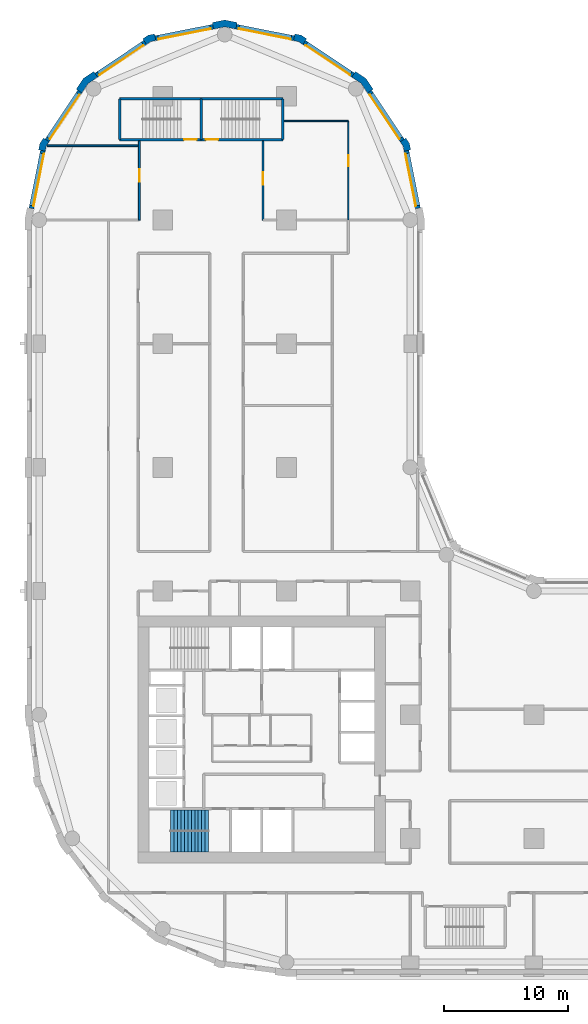
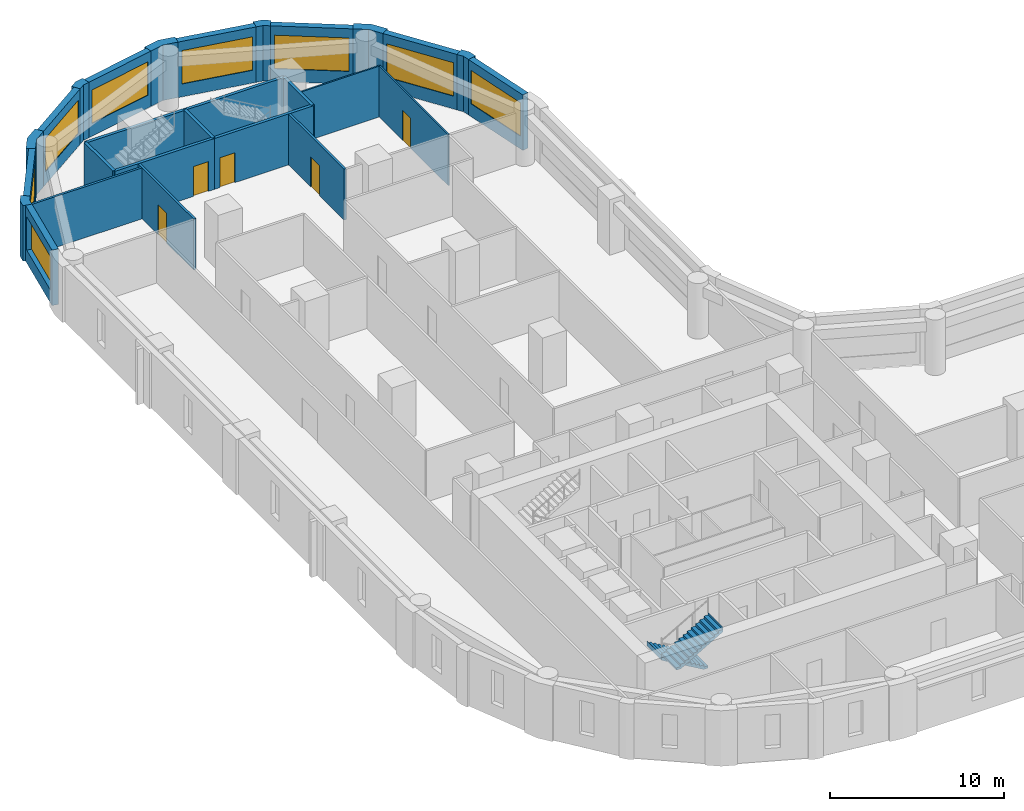
# One storey, part 7 of 10: 27 walls, 8 windows, 5 doors, 2 stair flights, 13 openings, 1 element without a shape of its own.
"""IFC4 building model written with IfcOpenShell, lengths in metres."""

import ifcopenshell
import ifcopenshell.guid

model = None  # the IFC model being written
_history = None  # IfcOwnerHistory: only IFC2X3 demands one
_inside = {}  # id of a spatial element -> (the spatial element, [elements in it])
_under = {}  # id of a project, library or spatial element -> (it, [spatial elements below it])
_declared = {}  # id of a project -> (the project, [libraries it declares])
_typed = {}  # id of a type object -> (the type object, [elements of that type])
_made_of = {}  # id of a material, layer set ... -> (it, [elements and type objects made of it])


def new_model(schema):
    """Start an empty IFC model of exactly this schema.

    Asked for "IFC4X3", IfcOpenShell would pick the latest addendum, in which some entities
    have other attributes; the version numbers below select the first issue.
    IFC2X3 requires an IfcOwnerHistory on every rooted entity: one is made here for all.
    """
    global model, _history
    if schema == "IFC4X3":
        model = ifcopenshell.file(schema_version=(4, 3, 0, 0))
    else:
        model = ifcopenshell.file(schema=schema)
    _inside.clear()
    _under.clear()
    _declared.clear()
    _typed.clear()
    _made_of.clear()
    _history = None
    if model.schema == "IFC2X3":
        org = make("IfcOrganization", Name="unknown")
        user = make(
            "IfcPersonAndOrganization",
            ThePerson=make("IfcPerson", FamilyName="unknown"),
            TheOrganization=org,
        )
        app = make(
            "IfcApplication",
            ApplicationDeveloper=org,
            Version="unknown",
            ApplicationFullName="unknown",
            ApplicationIdentifier="unknown",
        )
        _history = make(
            "IfcOwnerHistory",
            OwningUser=user,
            OwningApplication=app,
            ChangeAction="ADDED",
            CreationDate=0,
        )
    return model


def make(cls, **values):
    """One entity of the class cls with the attributes given. An attribute that is None is left unset."""
    return model.create_entity(
        cls, **{name: value for name, value in values.items() if value is not None}
    )


def rooted(cls, **values):
    """An entity with a GlobalId (a new one), such as an element, a storey or a relation."""
    return make(cls, GlobalId=ifcopenshell.guid.new(), OwnerHistory=_history, **values)


def si_unit(unit_type, name, prefix=None):
    """IfcSIUnit, for example si_unit("LENGTHUNIT", "METRE", prefix="MILLI")."""
    return make("IfcSIUnit", UnitType=unit_type, Prefix=prefix, Name=name)


def assignment(units):
    """IfcUnitAssignment: the units of a project."""
    return None if units is None else make("IfcUnitAssignment", Units=units)


def point(xyz):
    """IfcCartesianPoint."""
    return None if xyz is None else make("IfcCartesianPoint", Coordinates=xyz)


def direction(xyz):
    """IfcDirection."""
    return None if xyz is None else make("IfcDirection", DirectionRatios=xyz)


def frame(location, z_axis=None, x_axis=None):
    """IfcAxis2Placement3D, a coordinate frame: its origin and axes. An axis left out is left unset."""
    return make(
        "IfcAxis2Placement3D",
        Location=point(location),
        Axis=direction(z_axis),
        RefDirection=direction(x_axis),
    )


def frame_2d(location, x_axis=None):
    """IfcAxis2Placement2D, a coordinate frame in the plane: its origin and x axis."""
    return make(
        "IfcAxis2Placement2D", Location=point(location), RefDirection=direction(x_axis)
    )


def origin():
    """The frame at (0, 0, 0) with its axes left unset."""
    return frame((0.0, 0.0, 0.0))


def place(relative_to, where):
    """IfcLocalPlacement: puts the frame where relative to a parent placement (None: the world)."""
    return make(
        "IfcLocalPlacement", PlacementRelTo=relative_to, RelativePlacement=where
    )


def context(
    kind, dimensions, precision=None, world=None, true_north=None, identifier=None
):
    """IfcGeometricRepresentationContext, for example the 3D "Model" context."""
    return make(
        "IfcGeometricRepresentationContext",
        ContextIdentifier=identifier,
        ContextType=kind,
        CoordinateSpaceDimension=dimensions,
        Precision=precision,
        WorldCoordinateSystem=world,
        TrueNorth=true_north,
    )


def subcontext(parent, identifier, kind, view, scale=None):
    """IfcGeometricRepresentationSubContext, for example "Body" below "Model"."""
    return make(
        "IfcGeometricRepresentationSubContext",
        ContextIdentifier=identifier,
        ContextType=kind,
        ParentContext=parent,
        TargetScale=scale,
        TargetView=view,
    )


def project(units=None, contexts=None):
    """IfcProject with its units and contexts."""
    return rooted(
        "IfcProject",
        Name="project",
        RepresentationContexts=contexts,
        UnitsInContext=assignment(units),
    )


def spatial(cls, under=None, at=None, **own):
    """A site, building, storey or space (cls), placed at a placement, below another one or the project."""
    s = rooted(cls, ObjectPlacement=at, **own)
    if under is not None:
        _under.setdefault(under.id(), (under, []))[1].append(s)
    return s


def polyline(points):
    """IfcPolyline through the points."""
    return make("IfcPolyline", Points=[point(p) for p in points])


def profile(cls, at=None, kind="AREA", **sizes):
    """A parametric profile (cls). Its sizes go by their IFC names, for example OverallWidth=200.0."""
    return make(cls, ProfileType=kind, Position=at, **sizes)


def rectangle(**sizes):
    """IfcRectangleProfileDef."""
    return profile("IfcRectangleProfileDef", **sizes)


def outline(outer, holes=None, kind="AREA"):
    """IfcArbitraryClosedProfileDef: a profile drawn as a closed curve; with holes, ...WithVoids."""
    if holes is None:
        return make("IfcArbitraryClosedProfileDef", ProfileType=kind, OuterCurve=outer)
    return make(
        "IfcArbitraryProfileDefWithVoids",
        ProfileType=kind,
        OuterCurve=outer,
        InnerCurves=holes,
    )


def extrude(swept, where, along, depth):
    """IfcExtrudedAreaSolid: the profile swept, set in the frame where, extruded along a direction by depth."""
    return make(
        "IfcExtrudedAreaSolid",
        SweptArea=swept,
        Position=where,
        ExtrudedDirection=direction(along),
        Depth=depth,
    )


def shape(context_of_items, identifier, shape_type, items):
    """IfcShapeRepresentation: the items that make up one representation, for example the "Body"."""
    return make(
        "IfcShapeRepresentation",
        ContextOfItems=context_of_items,
        RepresentationIdentifier=identifier,
        RepresentationType=shape_type,
        Items=items,
    )


def material(Name=None, Category=None):
    """IfcMaterial."""
    return make("IfcMaterial", Name=Name, Category=Category)


def layer(
    of_material, thickness, ventilated=None, Name=None, Category=None, Priority=None
):
    """IfcMaterialLayer: one layer of a wall or slab, of a material (None: an air gap)."""
    return make(
        "IfcMaterialLayer",
        Material=of_material,
        LayerThickness=thickness,
        IsVentilated=ventilated,
        Name=Name,
        Category=Category,
        Priority=Priority,
    )


def layer_set(layers, Name=None):
    """IfcMaterialLayerSet."""
    return make("IfcMaterialLayerSet", MaterialLayers=layers, LayerSetName=Name)


def made_of(thing, what):
    """Note that an element or type object is made of a material, layer set ...; save() writes the relation."""
    if what is not None:
        _made_of.setdefault(what.id(), (what, []))[1].append(thing)
    return thing


def type_object(cls, material=None, **own):
    """A type object (cls), such as IfcWallType, which elements share."""
    return made_of(rooted(cls, **own), material)


def element(
    cls,
    number,
    at=None,
    inside=None,
    cuts=None,
    type_object=None,
    material=None,
    context=None,
    identifier="Body",
    shape_type=None,
    held_by="IfcProductDefinitionShape",
    body=None,
    shapes=None,
    **own,
):
    """One element of the class cls, such as IfcWall. Its Tag is "e" and its number.

    at: its placement. inside: the storey or other place that contains it. cuts: it is an
    opening in that element (IfcRelVoidsElement). A single representation is given by context,
    identifier, shape_type and body (its items); several are given by shapes. held_by: the class
    of the entity that holds the representations. save() writes the other relations.
    """
    e = rooted(cls, Tag="e%d" % number, ObjectPlacement=at, **own)
    if body is not None:
        shapes = [shape(context, identifier, shape_type, body)]
    if shapes is not None:
        e.Representation = make(held_by, Representations=shapes)
    if inside is not None:
        _inside.setdefault(inside.id(), (inside, []))[1].append(e)
    if cuts is not None:
        rooted(
            "IfcRelVoidsElement", RelatingBuildingElement=cuts, RelatedOpeningElement=e
        )
    if type_object is not None:
        _typed.setdefault(type_object.id(), (type_object, []))[1].append(e)
    return made_of(e, material)


def fill(opening, filler):
    """IfcRelFillsElement: the door or window that sits in an opening."""
    return rooted(
        "IfcRelFillsElement",
        RelatingOpeningElement=opening,
        RelatedBuildingElement=filler,
    )


def aggregate(whole, parts):
    """IfcRelAggregates: a whole, such as a stair, and the parts it consists of."""
    return rooted("IfcRelAggregates", RelatingObject=whole, RelatedObjects=parts)


def save(model, path):
    """Write the relations noted so far, then the file.

    IfcRelAggregates (storeys below a building ...), IfcRelContainedInSpatialStructure (elements
    in a storey), IfcRelDefinesByType, IfcRelAssociatesMaterial and IfcRelDeclares: one each for
    every whole, place, type object, material and project.
    """
    for whole, parts in _under.values():
        aggregate(whole, parts)
    for where, things in _inside.values():
        rooted(
            "IfcRelContainedInSpatialStructure",
            RelatedElements=things,
            RelatingStructure=where,
        )
    for kind, things in _typed.values():
        rooted("IfcRelDefinesByType", RelatedObjects=things, RelatingType=kind)
    for what, things in _made_of.values():
        rooted("IfcRelAssociatesMaterial", RelatedObjects=things, RelatingMaterial=what)
    for by, libraries in _declared.values():
        rooted("IfcRelDeclares", RelatingContext=by, RelatedDefinitions=libraries)
    model.write(path)


model = new_model("IFC4")

# Units and contexts
model_context = context("Model", 3, precision=1e-05, world=origin(), true_north=direction((0.0, 1.0)))
body_context = subcontext(model_context, "Body", "Model", "MODEL_VIEW")
ifc_project = project(units=[si_unit("LENGTHUNIT", "METRE"), si_unit("AREAUNIT", "SQUARE_METRE"), si_unit("VOLUMEUNIT", "CUBIC_METRE"), si_unit("PLANEANGLEUNIT", "RADIAN"), si_unit("MASSUNIT", "GRAM", prefix="KILO")], contexts=[model_context])

# Site, building, storey
site_placement = place(None, origin())
site = spatial("IfcSite", under=ifc_project, at=site_placement, CompositionType="ELEMENT")
building_placement = place(site_placement, origin())
building = spatial("IfcBuilding", under=site, at=building_placement, Name="Qaws Garden Tower", CompositionType="ELEMENT")
storey_placement = place(building_placement, frame((0.0, 0.0, 109.5)))
storey = spatial("IfcBuildingStorey", under=building, at=storey_placement, Name="L27", CompositionType="ELEMENT", Elevation=109.5)

# Wall, opening, window
ifc_material_1 = material(Name="Clay facing brick masonry", Category="masonry")
ifc_layer_1 = layer(ifc_material_1, 0.39990234375)
ifc_layer_set_1 = layer_set([ifc_layer_1], Name="Clay facing brick masonry")
wall_type_1 = type_object("IfcWallType", Name="Brick infill wall 400", PredefinedType="SOLIDWALL", material=ifc_layer_set_1)
wall_1_placement = place(storey_placement, frame((30.628662109375, 60.940673828125, 0.0), z_axis=(0.0, 0.0, 1.0), x_axis=(-0.195098533057, 0.98078364709, 0.0)))
wall_1 = element("IfcWall", 1, at=wall_1_placement, inside=storey, type_object=wall_type_1, Name="E-L27-infill-15", PredefinedType="SOLIDWALL", context=body_context, shape_type="SweptSolid", body=[
    extrude(rectangle(XDim=4.752685546875, YDim=0.39990234375, at=frame_2d((2.37646484375, 0.0))), origin(), (0.0, 0.0, 1.0), 3.89990234375),
])
opening_1_placement = place(wall_1_placement, frame((0.226318359375, 0.0, 0.89990234375)))
opening_1 = element("IfcOpeningElement", 2, at=opening_1_placement, cuts=wall_1, Name="Opening W06", PredefinedType="OPENING", context=body_context, shape_type="SweptSolid", body=[
    extrude(rectangle(XDim=4.300048828125, YDim=2.35009765625, at=frame_2d((2.14990234375, 1.175048828125))), frame((0.0, 0.2099609375, 0.0), z_axis=(0.0, -1.0, 0.0), x_axis=(1.0, 0.0, 0.0)), (0.0, 0.0, 1.0), 0.419921875),
])
ifc_material_2 = material(Name="Aluminium framed window, clear glazing", Category="aluminium")
window_type = type_object("IfcWindowType", Name="Ribbon window 4300 x 2350", PartitioningType="DOUBLE_PANEL_VERTICAL", PredefinedType="WINDOW", material=ifc_material_2)
window_1_placement = place(opening_1_placement, origin())
window_1 = element("IfcWindow", 3, at=window_1_placement, inside=storey, type_object=window_type, Name="E-L27-window-15-0", OverallHeight=2.35009765625, OverallWidth=4.300048828125, PartitioningType="SINGLE_PANEL", PredefinedType="WINDOW", context=body_context, shape_type="SweptSolid", body=[
    extrude(rectangle(XDim=4.300048828125, YDim=2.35009765625, at=frame_2d((2.14990234375, 1.175048828125))), frame((0.0, 0.159912109375, 0.0), z_axis=(0.0, -1.0, 0.0), x_axis=(1.0, 0.0, 0.0)), (0.0, 0.0, 1.0), 0.06005859375),
])
fill(opening_1, window_1)

wall_2_placement = place(storey_placement, frame((29.356689453125, 66.43408203125, 0.0), z_axis=(0.0, 0.0, 1.0), x_axis=(-0.555541552266, 0.831488775454, 0.0)))
wall_2 = element("IfcWall", 4, at=wall_2_placement, inside=storey, type_object=wall_type_1, Name="E-L27-infill-16", PredefinedType="SOLIDWALL", context=body_context, shape_type="SweptSolid", body=[
    extrude(rectangle(XDim=4.752685546875, YDim=0.39990234375, at=frame_2d((2.37646484375, 0.0))), origin(), (0.0, 0.0, 1.0), 3.89990234375),
])
opening_2_placement = place(wall_2_placement, frame((0.226318359375, 0.0, 0.89990234375)))
opening_2 = element("IfcOpeningElement", 5, at=opening_2_placement, cuts=wall_2, Name="Opening W06", PredefinedType="OPENING", context=body_context, shape_type="SweptSolid", body=[
    extrude(rectangle(XDim=4.300048828125, YDim=2.35009765625, at=frame_2d((2.14990234375, 1.175048828125))), frame((0.0, 0.2099609375, 0.0), z_axis=(0.0, -1.0, 0.0), x_axis=(1.0, 0.0, 0.0)), (0.0, 0.0, 1.0), 0.419921875),
])
window_2_placement = place(opening_2_placement, origin())
window_2 = element("IfcWindow", 6, at=window_2_placement, inside=storey, type_object=window_type, Name="E-L27-window-16-0", OverallHeight=2.35009765625, OverallWidth=4.300048828125, PartitioningType="SINGLE_PANEL", PredefinedType="WINDOW", context=body_context, shape_type="SweptSolid", body=[
    extrude(rectangle(XDim=4.300048828125, YDim=2.35009765625, at=frame_2d((2.14990234375, 1.175048828125))), frame((0.0, 0.159912109375, 0.0), z_axis=(0.0, -1.0, 0.0), x_axis=(1.0, 0.0, 0.0)), (0.0, 0.0, 1.0), 0.06005859375),
])
fill(opening_2, window_2)

wall_3_placement = place(storey_placement, frame((25.385986328125, 71.71630859375, 0.0), z_axis=(0.0, 0.0, 1.0), x_axis=(-0.831488775454, 0.555541552266, 0.0)))
wall_3 = element("IfcWall", 7, at=wall_3_placement, inside=storey, type_object=wall_type_1, Name="E-L27-infill-17", PredefinedType="SOLIDWALL", context=body_context, shape_type="SweptSolid", body=[
    extrude(rectangle(XDim=4.752685546875, YDim=0.39990234375, at=frame_2d((2.37646484375, 0.0))), origin(), (0.0, 0.0, 1.0), 3.89990234375),
])
opening_3_placement = place(wall_3_placement, frame((0.226318359375, 0.0, 0.89990234375)))
opening_3 = element("IfcOpeningElement", 8, at=opening_3_placement, cuts=wall_3, Name="Opening W06", PredefinedType="OPENING", context=body_context, shape_type="SweptSolid", body=[
    extrude(rectangle(XDim=4.300048828125, YDim=2.35009765625, at=frame_2d((2.14990234375, 1.175048828125))), frame((0.0, 0.2099609375, 0.0), z_axis=(0.0, -1.0, 0.0), x_axis=(1.0, 0.0, 0.0)), (0.0, 0.0, 1.0), 0.419921875),
])
window_3_placement = place(opening_3_placement, origin())
window_3 = element("IfcWindow", 9, at=window_3_placement, inside=storey, type_object=window_type, Name="E-L27-window-17-0", OverallHeight=2.35009765625, OverallWidth=4.300048828125, PartitioningType="SINGLE_PANEL", PredefinedType="WINDOW", context=body_context, shape_type="SweptSolid", body=[
    extrude(rectangle(XDim=4.300048828125, YDim=2.35009765625, at=frame_2d((2.14990234375, 1.175048828125))), frame((0.0, 0.159912109375, 0.0), z_axis=(0.0, -1.0, 0.0), x_axis=(1.0, 0.0, 0.0)), (0.0, 0.0, 1.0), 0.06005859375),
])
fill(opening_3, window_3)

wall_4_placement = place(storey_placement, frame((20.60205078125, 74.701416015625, 0.0), z_axis=(0.0, 0.0, 1.0), x_axis=(-0.98078364709, 0.195098533057, 0.0)))
wall_4 = element("IfcWall", 10, at=wall_4_placement, inside=storey, type_object=wall_type_1, Name="E-L27-infill-18", PredefinedType="SOLIDWALL", context=body_context, shape_type="SweptSolid", body=[
    extrude(rectangle(XDim=4.752685546875, YDim=0.39990234375, at=frame_2d((2.37646484375, 0.0))), origin(), (0.0, 0.0, 1.0), 3.89990234375),
])
opening_4_placement = place(wall_4_placement, frame((0.226318359375, 0.0, 0.89990234375)))
opening_4 = element("IfcOpeningElement", 11, at=opening_4_placement, cuts=wall_4, Name="Opening W06", PredefinedType="OPENING", context=body_context, shape_type="SweptSolid", body=[
    extrude(rectangle(XDim=4.300048828125, YDim=2.35009765625, at=frame_2d((2.14990234375, 1.175048828125))), frame((0.0, 0.2099609375, 0.0), z_axis=(0.0, -1.0, 0.0), x_axis=(1.0, 0.0, 0.0)), (0.0, 0.0, 1.0), 0.419921875),
])
window_4_placement = place(opening_4_placement, origin())
window_4 = element("IfcWindow", 12, at=window_4_placement, inside=storey, type_object=window_type, Name="E-L27-window-18-0", OverallHeight=2.35009765625, OverallWidth=4.300048828125, PartitioningType="SINGLE_PANEL", PredefinedType="WINDOW", context=body_context, shape_type="SweptSolid", body=[
    extrude(rectangle(XDim=4.300048828125, YDim=2.35009765625, at=frame_2d((2.14990234375, 1.175048828125))), frame((0.0, 0.159912109375, 0.0), z_axis=(0.0, -1.0, 0.0), x_axis=(1.0, 0.0, 0.0)), (0.0, 0.0, 1.0), 0.06005859375),
])
fill(opening_4, window_4)

wall_5_placement = place(storey_placement, frame((14.059326171875, 75.628662109375, 0.0), z_axis=(0.0, 0.0, 1.0), x_axis=(-0.98078364709, -0.195098533057, 0.0)))
wall_5 = element("IfcWall", 13, at=wall_5_placement, inside=storey, type_object=wall_type_1, Name="E-L27-infill-19", PredefinedType="SOLIDWALL", context=body_context, shape_type="SweptSolid", body=[
    extrude(rectangle(XDim=4.752685546875, YDim=0.39990234375, at=frame_2d((2.37646484375, 0.0))), origin(), (0.0, 0.0, 1.0), 3.89990234375),
])
opening_5_placement = place(wall_5_placement, frame((0.226318359375, 0.0, 0.89990234375)))
opening_5 = element("IfcOpeningElement", 14, at=opening_5_placement, cuts=wall_5, Name="Opening W06", PredefinedType="OPENING", context=body_context, shape_type="SweptSolid", body=[
    extrude(rectangle(XDim=4.300048828125, YDim=2.35009765625, at=frame_2d((2.14990234375, 1.175048828125))), frame((0.0, 0.2099609375, 0.0), z_axis=(0.0, -1.0, 0.0), x_axis=(1.0, 0.0, 0.0)), (0.0, 0.0, 1.0), 0.419921875),
])
window_5_placement = place(opening_5_placement, origin())
window_5 = element("IfcWindow", 15, at=window_5_placement, inside=storey, type_object=window_type, Name="E-L27-window-19-0", OverallHeight=2.35009765625, OverallWidth=4.300048828125, PartitioningType="SINGLE_PANEL", PredefinedType="WINDOW", context=body_context, shape_type="SweptSolid", body=[
    extrude(rectangle(XDim=4.300048828125, YDim=2.35009765625, at=frame_2d((2.14990234375, 1.175048828125))), frame((0.0, 0.159912109375, 0.0), z_axis=(0.0, -1.0, 0.0), x_axis=(1.0, 0.0, 0.0)), (0.0, 0.0, 1.0), 0.06005859375),
])
fill(opening_5, window_5)

wall_6_placement = place(storey_placement, frame((8.56591796875, 74.356689453125, 0.0), z_axis=(0.0, 0.0, 1.0), x_axis=(-0.831488775454, -0.555541552266, 0.0)))
wall_6 = element("IfcWall", 16, at=wall_6_placement, inside=storey, type_object=wall_type_1, Name="E-L27-infill-20", PredefinedType="SOLIDWALL", context=body_context, shape_type="SweptSolid", body=[
    extrude(rectangle(XDim=4.752685546875, YDim=0.39990234375, at=frame_2d((2.37646484375, 0.0))), origin(), (0.0, 0.0, 1.0), 3.89990234375),
])
opening_6_placement = place(wall_6_placement, frame((0.226318359375, 0.0, 0.89990234375)))
opening_6 = element("IfcOpeningElement", 17, at=opening_6_placement, cuts=wall_6, Name="Opening W06", PredefinedType="OPENING", context=body_context, shape_type="SweptSolid", body=[
    extrude(rectangle(XDim=4.300048828125, YDim=2.35009765625, at=frame_2d((2.14990234375, 1.175048828125))), frame((0.0, 0.2099609375, 0.0), z_axis=(0.0, -1.0, 0.0), x_axis=(1.0, 0.0, 0.0)), (0.0, 0.0, 1.0), 0.419921875),
])
window_6_placement = place(opening_6_placement, origin())
window_6 = element("IfcWindow", 18, at=window_6_placement, inside=storey, type_object=window_type, Name="E-L27-window-20-0", OverallHeight=2.35009765625, OverallWidth=4.300048828125, PartitioningType="SINGLE_PANEL", PredefinedType="WINDOW", context=body_context, shape_type="SweptSolid", body=[
    extrude(rectangle(XDim=4.300048828125, YDim=2.35009765625, at=frame_2d((2.14990234375, 1.175048828125))), frame((0.0, 0.159912109375, 0.0), z_axis=(0.0, -1.0, 0.0), x_axis=(1.0, 0.0, 0.0)), (0.0, 0.0, 1.0), 0.06005859375),
])
fill(opening_6, window_6)

wall_7_placement = place(storey_placement, frame((3.28369140625, 70.385986328125, 0.0), z_axis=(0.0, 0.0, 1.0), x_axis=(-0.555541552266, -0.831488775454, 0.0)))
wall_7 = element("IfcWall", 19, at=wall_7_placement, inside=storey, type_object=wall_type_1, Name="E-L27-infill-21", PredefinedType="SOLIDWALL", context=body_context, shape_type="SweptSolid", body=[
    extrude(rectangle(XDim=4.752685546875, YDim=0.39990234375, at=frame_2d((2.37646484375, 0.0))), origin(), (0.0, 0.0, 1.0), 3.89990234375),
])
opening_7_placement = place(wall_7_placement, frame((0.226318359375, 0.0, 0.89990234375)))
opening_7 = element("IfcOpeningElement", 20, at=opening_7_placement, cuts=wall_7, Name="Opening W06", PredefinedType="OPENING", context=body_context, shape_type="SweptSolid", body=[
    extrude(rectangle(XDim=4.300048828125, YDim=2.35009765625, at=frame_2d((2.14990234375, 1.175048828125))), frame((0.0, 0.2099609375, 0.0), z_axis=(0.0, -1.0, 0.0), x_axis=(1.0, 0.0, 0.0)), (0.0, 0.0, 1.0), 0.419921875),
])
window_7_placement = place(opening_7_placement, origin())
window_7 = element("IfcWindow", 21, at=window_7_placement, inside=storey, type_object=window_type, Name="E-L27-window-21-0", OverallHeight=2.35009765625, OverallWidth=4.300048828125, PartitioningType="SINGLE_PANEL", PredefinedType="WINDOW", context=body_context, shape_type="SweptSolid", body=[
    extrude(rectangle(XDim=4.300048828125, YDim=2.35009765625, at=frame_2d((2.14990234375, 1.175048828125))), frame((0.0, 0.159912109375, 0.0), z_axis=(0.0, -1.0, 0.0), x_axis=(1.0, 0.0, 0.0)), (0.0, 0.0, 1.0), 0.06005859375),
])
fill(opening_7, window_7)

wall_8_placement = place(storey_placement, frame((0.298583984375, 65.60205078125, 0.0), z_axis=(0.0, 0.0, 1.0), x_axis=(-0.195098533057, -0.98078364709, 0.0)))
wall_8 = element("IfcWall", 22, at=wall_8_placement, inside=storey, type_object=wall_type_1, Name="E-L27-infill-22", PredefinedType="SOLIDWALL", context=body_context, shape_type="SweptSolid", body=[
    extrude(rectangle(XDim=4.752685546875, YDim=0.39990234375, at=frame_2d((2.37646484375, 0.0))), origin(), (0.0, 0.0, 1.0), 3.89990234375),
])
opening_8_placement = place(wall_8_placement, frame((0.226318359375, 0.0, 0.89990234375)))
opening_8 = element("IfcOpeningElement", 23, at=opening_8_placement, cuts=wall_8, Name="Opening W06", PredefinedType="OPENING", context=body_context, shape_type="SweptSolid", body=[
    extrude(rectangle(XDim=4.300048828125, YDim=2.35009765625, at=frame_2d((2.14990234375, 1.175048828125))), frame((0.0, 0.2099609375, 0.0), z_axis=(0.0, -1.0, 0.0), x_axis=(1.0, 0.0, 0.0)), (0.0, 0.0, 1.0), 0.419921875),
])
window_8_placement = place(opening_8_placement, origin())
window_8 = element("IfcWindow", 24, at=window_8_placement, inside=storey, type_object=window_type, Name="E-L27-window-22-0", OverallHeight=2.35009765625, OverallWidth=4.300048828125, PartitioningType="SINGLE_PANEL", PredefinedType="WINDOW", context=body_context, shape_type="SweptSolid", body=[
    extrude(rectangle(XDim=4.300048828125, YDim=2.35009765625, at=frame_2d((2.14990234375, 1.175048828125))), frame((0.0, 0.159912109375, 0.0), z_axis=(0.0, -1.0, 0.0), x_axis=(1.0, 0.0, 0.0)), (0.0, 0.0, 1.0), 0.06005859375),
])
fill(opening_8, window_8)

# Walls
ifc_material_3 = material(Name="Clay facing brick masonry", Category="masonry")
ifc_layer_2 = layer(ifc_material_3, 0.550048828125)
ifc_layer_set_2 = layer_set([ifc_layer_2], Name="Clay facing brick masonry")
wall_type_2 = type_object("IfcWallType", Name="Brick kink pier 550 x 600", PredefinedType="SOLIDWALL", material=ifc_layer_set_2)
placement = place(storey_placement, origin())
element("IfcWall", 25, at=placement, inside=storey, type_object=wall_type_2, Name="E-L27-pier-16", PredefinedType="SOLIDWALL", context=body_context, shape_type="SweptSolid", body=[
    extrude(outline(polyline([(29.8974609375, 65.64111328125), (30.044677734375, 65.67041015625), (29.94140625, 66.18896484375), (29.647705078125, 66.628662109375), (29.52294921875, 66.545166015625), (29.1904296875, 66.322998046875), (29.42333984375, 65.974365234375), (29.505126953125, 65.56298828125), (29.8974609375, 65.64111328125)])), origin(), (0.0, 0.0, 1.0), 3.89990234375),
])
element("IfcWall", 26, at=placement, inside=storey, type_object=wall_type_2, Name="E-L27-pier-18", PredefinedType="SOLIDWALL", context=body_context, shape_type="SweptSolid", body=[
    extrude(outline(polyline([(21.545166015625, 74.52294921875), (21.628662109375, 74.647705078125), (21.18896484375, 74.94140625), (20.67041015625, 75.044677734375), (20.64111328125, 74.8974609375), (20.56298828125, 74.505126953125), (20.974365234375, 74.42333984375), (21.322998046875, 74.1904296875), (21.545166015625, 74.52294921875)])), origin(), (0.0, 0.0, 1.0), 3.89990234375),
])
element("IfcWall", 27, at=placement, inside=storey, type_object=wall_type_2, Name="E-L27-pier-20", PredefinedType="SOLIDWALL", context=body_context, shape_type="SweptSolid", body=[
    extrude(outline(polyline([(9.35888671875, 74.8974609375), (9.32958984375, 75.044677734375), (8.81103515625, 74.94140625), (8.371337890625, 74.647705078125), (8.454833984375, 74.52294921875), (8.677001953125, 74.1904296875), (9.025634765625, 74.42333984375), (9.43701171875, 74.505126953125), (9.35888671875, 74.8974609375)])), origin(), (0.0, 0.0, 1.0), 3.89990234375),
])
element("IfcWall", 28, at=placement, inside=storey, type_object=wall_type_2, Name="E-L27-pier-22", PredefinedType="SOLIDWALL", context=body_context, shape_type="SweptSolid", body=[
    extrude(outline(polyline([(0.47705078125, 66.545166015625), (0.352294921875, 66.628662109375), (0.05859375, 66.18896484375), (-0.044677734375, 65.67041015625), (0.1025390625, 65.64111328125), (0.494873046875, 65.56298828125), (0.57666015625, 65.974365234375), (0.8095703125, 66.322998046875), (0.47705078125, 66.545166015625)])), origin(), (0.0, 0.0, 1.0), 3.89990234375),
])
ifc_material_4 = material(Name="Clay facing brick masonry", Category="masonry")
ifc_layer_3 = layer(ifc_material_4, 0.550048828125)
ifc_layer_set_3 = layer_set([ifc_layer_3], Name="Clay facing brick masonry")
wall_type_3 = type_object("IfcWallType", Name="Brick pier 550 x 1600", PredefinedType="SOLIDWALL", material=ifc_layer_set_3)
element("IfcWall", 29, at=placement, inside=storey, type_object=wall_type_3, Name="E-L27-pier-17", PredefinedType="SOLIDWALL", context=body_context, shape_type="SweptSolid", body=[
    extrude(outline(polyline([(26.882568359375, 70.4970703125), (27.00732421875, 70.580322265625), (26.435791015625, 71.435791015625), (25.580322265625, 72.00732421875), (25.4970703125, 71.882568359375), (25.274658203125, 71.550048828125), (26.0390625, 71.0390625), (26.550048828125, 70.274658203125), (26.882568359375, 70.4970703125)])), origin(), (0.0, 0.0, 1.0), 3.89990234375),
])
element("IfcWall", 30, at=placement, inside=storey, type_object=wall_type_3, Name="E-L27-pier-19", PredefinedType="SOLIDWALL", context=body_context, shape_type="SweptSolid", body=[
    extrude(outline(polyline([(15.979736328125, 75.82470703125), (16.009033203125, 75.971923828125), (15.0, 76.172607421875), (13.990966796875, 75.971923828125), (14.020263671875, 75.82470703125), (14.098388671875, 75.432373046875), (15.0, 75.61181640625), (15.901611328125, 75.432373046875), (15.979736328125, 75.82470703125)])), origin(), (0.0, 0.0, 1.0), 3.89990234375),
])
element("IfcWall", 31, at=placement, inside=storey, type_object=wall_type_3, Name="E-L27-pier-21", PredefinedType="SOLIDWALL", context=body_context, shape_type="SweptSolid", body=[
    extrude(outline(polyline([(4.5029296875, 71.882568359375), (4.419677734375, 72.00732421875), (3.564208984375, 71.435791015625), (2.99267578125, 70.580322265625), (3.117431640625, 70.4970703125), (3.449951171875, 70.274658203125), (3.9609375, 71.0390625), (4.725341796875, 71.550048828125), (4.5029296875, 71.882568359375)])), origin(), (0.0, 0.0, 1.0), 3.89990234375),
])

# Wall, opening, door
ifc_material_5 = material(Name="Concrete C80", Category="concrete")
ifc_layer_4 = layer(ifc_material_5, 0.199951171875)
ifc_layer_set_4 = layer_set([ifc_layer_4], Name="Concrete C80")
wall_type_4 = type_object("IfcWallType", Name="Core shaft wall 200 C80", PredefinedType="SHEAR", material=ifc_layer_set_4)
wall_16_placement = place(storey_placement, frame((6.5, 66.5, 0.0), z_axis=(0.0, 0.0, 1.0), x_axis=(1.0, 0.0, 0.0)))
wall_16 = element("IfcWall", 32, at=wall_16_placement, inside=storey, type_object=wall_type_4, Name="Shaft wall", PredefinedType="SHEAR", context=body_context, shape_type="SweptSolid", body=[
    extrude(rectangle(XDim=6.60009765625, YDim=0.199951171875, at=frame_2d((3.300048828125, 0.0))), origin(), (0.0, 0.0, 1.0), 3.580078125),
])
opening_9_placement = place(wall_16_placement, frame((5.22509765625, 0.0, 0.0)))
opening_9 = element("IfcOpeningElement", 33, at=opening_9_placement, cuts=wall_16, Name="Opening SD13", PredefinedType="OPENING", context=body_context, shape_type="SweptSolid", body=[
    extrude(rectangle(XDim=1.0, YDim=2.10009765625, at=frame_2d((0.5, 1.050048828125))), frame((0.0, 0.10986328125, 0.0), z_axis=(0.0, -1.0, 0.0), x_axis=(1.0, 0.0, 0.0)), (0.0, 0.0, 1.0), 0.219970703125),
])
ifc_material_6 = material(Name="Steel S235", Category="steel")
door_type_1 = type_object("IfcDoorType", Name="Stair door 1000x2100", OperationType="SINGLE_SWING_RIGHT", PredefinedType="DOOR", material=ifc_material_6)
door_1_placement = place(opening_9_placement, origin())
door_1 = element("IfcDoor", 34, at=door_1_placement, inside=storey, type_object=door_type_1, Name="Stair 6 door", OperationType="SINGLE_SWING_RIGHT", OverallHeight=2.10009765625, OverallWidth=1.0, PredefinedType="DOOR", context=body_context, shape_type="SweptSolid", body=[
    extrude(rectangle(XDim=1.0, YDim=2.10009765625, at=frame_2d((0.5, 1.050048828125))), frame((0.0, 0.02490234375, 0.0), z_axis=(0.0, -1.0, 0.0), x_axis=(1.0, 0.0, 0.0)), (0.0, 0.0, 1.0), 0.050048828125),
])
fill(opening_9, door_1)

wall_17_placement = place(storey_placement, frame((13.10009765625, 66.5, 0.0), z_axis=(0.0, 0.0, 1.0), x_axis=(1.0, 0.0, 0.0)))
wall_17 = element("IfcWall", 35, at=wall_17_placement, inside=storey, type_object=wall_type_4, Name="Shaft wall", PredefinedType="SHEAR", context=body_context, shape_type="SweptSolid", body=[
    extrude(rectangle(XDim=6.599853515625, YDim=0.199951171875, at=frame_2d((3.2998046875, 0.0))), origin(), (0.0, 0.0, 1.0), 3.580078125),
])
opening_10_placement = place(wall_17_placement, frame((0.375, 0.0, 0.0)))
opening_10 = element("IfcOpeningElement", 36, at=opening_10_placement, cuts=wall_17, Name="Opening SD14", PredefinedType="OPENING", context=body_context, shape_type="SweptSolid", body=[
    extrude(rectangle(XDim=1.0, YDim=2.10009765625, at=frame_2d((0.5, 1.050048828125))), frame((0.0, 0.10986328125, 0.0), z_axis=(0.0, -1.0, 0.0), x_axis=(1.0, 0.0, 0.0)), (0.0, 0.0, 1.0), 0.219970703125),
])
door_2_placement = place(opening_10_placement, origin())
door_2 = element("IfcDoor", 37, at=door_2_placement, inside=storey, type_object=door_type_1, Name="Stair 7 door", OperationType="SINGLE_SWING_LEFT", OverallHeight=2.10009765625, OverallWidth=1.0, PredefinedType="DOOR", context=body_context, shape_type="SweptSolid", body=[
    extrude(rectangle(XDim=1.0, YDim=2.10009765625, at=frame_2d((0.5, 1.050048828125))), frame((0.0, 0.02490234375, 0.0), z_axis=(0.0, -1.0, 0.0), x_axis=(1.0, 0.0, 0.0)), (0.0, 0.0, 1.0), 0.050048828125),
])
fill(opening_10, door_2)

# Walls
wall_18_placement = place(storey_placement, frame((6.5, 69.800048828125, 0.0), z_axis=(0.0, 0.0, 1.0), x_axis=(1.0, 0.0, 0.0)))
element("IfcWall", 38, at=wall_18_placement, inside=storey, type_object=wall_type_4, Name="Shaft wall", PredefinedType="SHEAR", context=body_context, shape_type="SweptSolid", body=[
    extrude(rectangle(XDim=6.60009765625, YDim=0.199951171875, at=frame_2d((3.300048828125, 0.0))), origin(), (0.0, 0.0, 1.0), 3.580078125),
])
wall_19_placement = place(storey_placement, frame((13.10009765625, 69.800048828125, 0.0), z_axis=(0.0, 0.0, 1.0), x_axis=(1.0, 0.0, 0.0)))
element("IfcWall", 39, at=wall_19_placement, inside=storey, type_object=wall_type_4, Name="Shaft wall", PredefinedType="SHEAR", context=body_context, shape_type="SweptSolid", body=[
    extrude(rectangle(XDim=6.599853515625, YDim=0.199951171875, at=frame_2d((3.2998046875, 0.0))), origin(), (0.0, 0.0, 1.0), 3.580078125),
])
for number, where, z_axis, x_axis, name in (
    (40, (6.5, 66.5, 0.0), (0.0, 0.0, 1.0), (0.0, 1.0, 0.0), "Shaft wall"),
    (41, (13.10009765625, 66.5, 0.0), (0.0, 0.0, 1.0), (0.0, 1.0, 0.0), "Shaft wall"),
    (42, (19.699951171875, 66.5, 0.0), (0.0, 0.0, 1.0), (0.0, 1.0, 0.0), "Shaft wall"),
):
    element("IfcWall", number, at=place(storey_placement, frame(where, z_axis=z_axis, x_axis=x_axis)), inside=storey, type_object=wall_type_4, Name=name, PredefinedType="SHEAR", context=body_context, shape_type="SweptSolid", body=[
        extrude(rectangle(XDim=3.300048828125, YDim=0.199951171875, at=frame_2d((1.64990234375, 0.0))), origin(), (0.0, 0.0, 1.0), 3.580078125),
    ])

# Wall, opening, door
ifc_material_7 = material(Name="Gypsum board partition")
ifc_layer_5 = layer(ifc_material_7, 0.10009765625)
ifc_layer_set_5 = layer_set([ifc_layer_5], Name="Gypsum board partition")
wall_type_5 = type_object("IfcWallType", Name="PARTITION 100", PredefinedType="PARTITIONING", material=ifc_layer_set_5)
wall_20_placement = place(storey_placement, frame((25.0, 60.0, 0.0), z_axis=(0.0, 0.0, 1.0), x_axis=(0.0, 1.0, 0.0)))
wall_20 = element("IfcWall", 43, at=wall_20_placement, inside=storey, type_object=wall_type_5, Name="O-L27-wall-001", PredefinedType="PARTITIONING", context=body_context, shape_type="SweptSolid", body=[
    extrude(rectangle(XDim=8.0, YDim=0.10009765625, at=frame_2d((4.0, 0.0))), origin(), (0.0, 0.0, 1.0), 3.580078125),
])
opening_11_placement = place(wall_20_placement, frame((4.35009765625, 0.0, 0.0)))
opening_11 = element("IfcOpeningElement", 44, at=opening_11_placement, cuts=wall_20, Name="Opening A928", PredefinedType="OPENING", context=body_context, shape_type="SweptSolid", body=[
    extrude(rectangle(XDim=0.89990234375, YDim=2.10009765625, at=frame_2d((0.449951171875, 1.050048828125))), frame((0.0, 0.06005859375, 0.0), z_axis=(0.0, -1.0, 0.0), x_axis=(1.0, 0.0, 0.0)), (0.0, 0.0, 1.0), 0.1201171875),
])
ifc_material_8 = material(Name="Timber door leaf", Category="wood")
door_type_2 = type_object("IfcDoorType", Name="OFFICE DOOR 900 X 2100", OperationType="SINGLE_SWING_LEFT", PredefinedType="DOOR", material=ifc_material_8)
door_3_placement = place(opening_11_placement, origin())
door_3 = element("IfcDoor", 45, at=door_3_placement, inside=storey, type_object=door_type_2, Name="O-L27-door-028", OperationType="SINGLE_SWING_LEFT", OverallHeight=2.10009765625, OverallWidth=0.89990234375, PredefinedType="DOOR", context=body_context, shape_type="SweptSolid", body=[
    extrude(rectangle(XDim=0.89990234375, YDim=2.10009765625, at=frame_2d((0.449951171875, 1.050048828125))), frame((0.0, 0.02490234375, 0.0), z_axis=(0.0, -1.0, 0.0), x_axis=(1.0, 0.0, 0.0)), (0.0, 0.0, 1.0), 0.050048828125),
])
fill(opening_11, door_3)

# Wall
wall_21_placement = place(storey_placement, frame((19.800048828125, 68.0, 0.0), z_axis=(0.0, 0.0, 1.0), x_axis=(1.0, 0.0, 0.0)))
element("IfcWall", 46, at=wall_21_placement, inside=storey, type_object=wall_type_5, Name="O-L27-wall-004", PredefinedType="PARTITIONING", context=body_context, shape_type="SweptSolid", body=[
    extrude(rectangle(XDim=5.199951171875, YDim=0.10009765625, at=frame_2d((2.60009765625, 0.0))), origin(), (0.0, 0.0, 1.0), 3.580078125),
])

# Wall, opening, door
ifc_material_9 = material(Name="Gypsum board partition")
ifc_layer_6 = layer(ifc_material_9, 0.14990234375)
ifc_layer_set_6 = layer_set([ifc_layer_6], Name="Gypsum board partition")
wall_type_6 = type_object("IfcWallType", Name="PARTITION 150 EI 60", PredefinedType="PARTITIONING", material=ifc_layer_set_6)
wall_22_placement = place(storey_placement, frame((8.10009765625, 60.0, 0.0), z_axis=(0.0, 0.0, 1.0), x_axis=(0.0, 1.0, 0.0)))
wall_22 = element("IfcWall", 47, at=wall_22_placement, inside=storey, type_object=wall_type_6, Name="O-L27-wall-008", PredefinedType="PARTITIONING", context=body_context, shape_type="SweptSolid", body=[
    extrude(rectangle(XDim=6.39990234375, YDim=0.14990234375, at=frame_2d((3.199951171875, 0.0))), origin(), (0.0, 0.0, 1.0), 3.580078125),
])
opening_12_placement = place(wall_22_placement, frame((3.10009765625, 0.0, 0.0)))
opening_12 = element("IfcOpeningElement", 48, at=opening_12_placement, cuts=wall_22, Name="Opening A917", PredefinedType="OPENING", context=body_context, shape_type="SweptSolid", body=[
    extrude(rectangle(XDim=1.0, YDim=2.10009765625, at=frame_2d((0.5, 1.050048828125))), frame((0.0, 0.0849609375, 0.0), z_axis=(0.0, -1.0, 0.0), x_axis=(1.0, 0.0, 0.0)), (0.0, 0.0, 1.0), 0.169921875),
])
ifc_material_10 = material(Name="Timber door leaf", Category="wood")
door_type_3 = type_object("IfcDoorType", Name="TENANCY ENTRANCE DOOR 1000 X 2100", OperationType="SINGLE_SWING_LEFT", PredefinedType="DOOR", material=ifc_material_10)
door_4_placement = place(opening_12_placement, origin())
door_4 = element("IfcDoor", 49, at=door_4_placement, inside=storey, type_object=door_type_3, Name="O-L27-door-017", OperationType="SINGLE_SWING_LEFT", OverallHeight=2.10009765625, OverallWidth=1.0, PredefinedType="DOOR", context=body_context, shape_type="SweptSolid", body=[
    extrude(rectangle(XDim=1.0, YDim=2.10009765625, at=frame_2d((0.5, 1.050048828125))), frame((0.0, 0.02490234375, 0.0), z_axis=(0.0, -1.0, 0.0), x_axis=(1.0, 0.0, 0.0)), (0.0, 0.0, 1.0), 0.050048828125),
])
fill(opening_12, door_4)

wall_23_placement = place(storey_placement, frame((18.10009765625, 60.0, 0.0), z_axis=(0.0, 0.0, 1.0), x_axis=(0.0, 1.0, 0.0)))
wall_23 = element("IfcWall", 50, at=wall_23_placement, inside=storey, type_object=wall_type_6, Name="O-L27-wall-014", PredefinedType="PARTITIONING", context=body_context, shape_type="SweptSolid", body=[
    extrude(rectangle(XDim=6.39990234375, YDim=0.14990234375, at=frame_2d((3.199951171875, 0.0))), origin(), (0.0, 0.0, 1.0), 3.580078125),
])
opening_13_placement = place(wall_23_placement, frame((2.85009765625, 0.0, 0.0)))
opening_13 = element("IfcOpeningElement", 51, at=opening_13_placement, cuts=wall_23, Name="Opening A918", PredefinedType="OPENING", context=body_context, shape_type="SweptSolid", body=[
    extrude(rectangle(XDim=1.0, YDim=2.10009765625, at=frame_2d((0.5, 1.050048828125))), frame((0.0, 0.0849609375, 0.0), z_axis=(0.0, -1.0, 0.0), x_axis=(1.0, 0.0, 0.0)), (0.0, 0.0, 1.0), 0.169921875),
])
door_5_placement = place(opening_13_placement, frame((1.0, 0.0, 0.0), z_axis=(0.0, 0.0, 1.0), x_axis=(-1.0, 0.0, 0.0)))
door_5 = element("IfcDoor", 52, at=door_5_placement, inside=storey, type_object=door_type_3, Name="O-L27-door-018", OperationType="SINGLE_SWING_RIGHT", OverallHeight=2.10009765625, OverallWidth=1.0, PredefinedType="DOOR", context=body_context, shape_type="SweptSolid", body=[
    extrude(rectangle(XDim=1.0, YDim=2.10009765625, at=frame_2d((0.5, 1.050048828125))), frame((0.0, 0.02490234375, 0.0), z_axis=(0.0, -1.0, 0.0), x_axis=(1.0, 0.0, 0.0)), (0.0, 0.0, 1.0), 0.050048828125),
])
fill(opening_13, door_5)

# Wall
wall_24_placement = place(storey_placement, frame((0.643798828125, 66.0, 0.0), z_axis=(0.0, 0.0, 1.0), x_axis=(1.0, 0.0, 0.0)))
element("IfcWall", 53, at=wall_24_placement, inside=storey, type_object=wall_type_6, Name="O-L27-wall-065", PredefinedType="PARTITIONING", context=body_context, shape_type="SweptSolid", body=[
    extrude(rectangle(XDim=7.456298828125, YDim=0.14990234375, at=frame_2d((3.72802734375, 0.0))), origin(), (0.0, 0.0, 1.0), 3.580078125),
])

# Stair, stair flights
ifc_material_11 = material(Name="Concrete C40", Category="concrete")
stair_type = type_object("IfcStairType", Name="Exit stair 1500", PredefinedType="HALF_TURN_STAIR", material=ifc_material_11)
stair = element("IfcStair", 54, at=placement, inside=storey, type_object=stair_type, Name="Stair 1", PredefinedType="HALF_TURN_STAIR")
ifc_material_12 = material(Name="Concrete C40", Category="concrete")
stair_flight_type = type_object("IfcStairFlightType", Name="Stair flight 1500", PredefinedType="STRAIGHT", material=ifc_material_12)
stair_flight_1_placement = place(storey_placement, frame((13.699951171875, 11.449951171875, 0.0), z_axis=(0.0, 0.0, 1.0), x_axis=(-1.0, 0.0, 0.0)))
stair_flight_1 = element("IfcStairFlight", 55, at=stair_flight_1_placement, type_object=stair_flight_type, Name="ST1 flight 1", NumberOfRisers=12, NumberOfTreads=11, PredefinedType="STRAIGHT", RiserHeight=0.1625, TreadLength=0.28, context=body_context, shape_type="SweptSolid", body=[
    extrude(outline(polyline([(-0.0029296875, 0.0), (-0.0029296875, 0.16259765625), (0.0, 0.16259765625), (0.280029296875, 0.16259765625), (0.280029296875, 0.324951171875), (0.56005859375, 0.324951171875), (0.56005859375, 0.487548828125), (0.840087890625, 0.487548828125), (0.840087890625, 0.64990234375), (1.1201171875, 0.64990234375), (1.1201171875, 0.8125), (1.39990234375, 0.8125), (1.39990234375, 0.97509765625), (1.679931640625, 0.97509765625), (1.679931640625, 1.137451171875), (1.9599609375, 1.137451171875), (1.9599609375, 1.300048828125), (2.239990234375, 1.300048828125), (2.239990234375, 1.46240234375), (2.52001953125, 1.46240234375), (2.52001953125, 1.625), (2.800048828125, 1.625), (2.800048828125, 1.78759765625), (3.080078125, 1.78759765625), (3.080078125, 1.949951171875), (3.0830078125, 1.949951171875), (3.0830078125, 1.6142578125), (3.080078125, 1.6142578125), (0.298583984375, 0.0), (-0.0029296875, 0.0)])), frame((0.0, 0.85009765625, 0.0), z_axis=(0.0, -1.0, 0.0), x_axis=(1.0, 0.0, 0.0)), (0.0, 0.0, 1.0), 1.699951171875),
])
stair_flight_2_placement = place(storey_placement, frame((10.6201171875, 9.75, 1.949951171875), z_axis=(0.0, 0.0, 1.0), x_axis=(1.0, 0.0, 0.0)))
stair_flight_2 = element("IfcStairFlight", 56, at=stair_flight_2_placement, type_object=stair_flight_type, Name="ST1 flight 2", NumberOfRisers=12, NumberOfTreads=11, PredefinedType="STRAIGHT", RiserHeight=0.1625, TreadLength=0.28, context=body_context, shape_type="SweptSolid", body=[
    extrude(outline(polyline([(-0.0029296875, 0.0), (-0.0029296875, 0.16259765625), (0.0, 0.16259765625), (0.280029296875, 0.16259765625), (0.280029296875, 0.324951171875), (0.56005859375, 0.324951171875), (0.56005859375, 0.487548828125), (0.840087890625, 0.487548828125), (0.840087890625, 0.64990234375), (1.1201171875, 0.64990234375), (1.1201171875, 0.8125), (1.39990234375, 0.8125), (1.39990234375, 0.97509765625), (1.679931640625, 0.97509765625), (1.679931640625, 1.137451171875), (1.9599609375, 1.137451171875), (1.9599609375, 1.300048828125), (2.239990234375, 1.300048828125), (2.239990234375, 1.46240234375), (2.52001953125, 1.46240234375), (2.52001953125, 1.625), (2.800048828125, 1.625), (2.800048828125, 1.78759765625), (3.080078125, 1.78759765625), (3.080078125, 1.949951171875), (3.0830078125, 1.949951171875), (3.0830078125, 1.6142578125), (3.080078125, 1.6142578125), (0.298583984375, 0.0), (-0.0029296875, 0.0)])), frame((0.0, 0.85009765625, 0.0), z_axis=(0.0, -1.0, 0.0), x_axis=(1.0, 0.0, 0.0)), (0.0, 0.0, 1.0), 1.699951171875),
])
aggregate(stair, [stair_flight_1, stair_flight_2])

save(model, "model.ifc")
